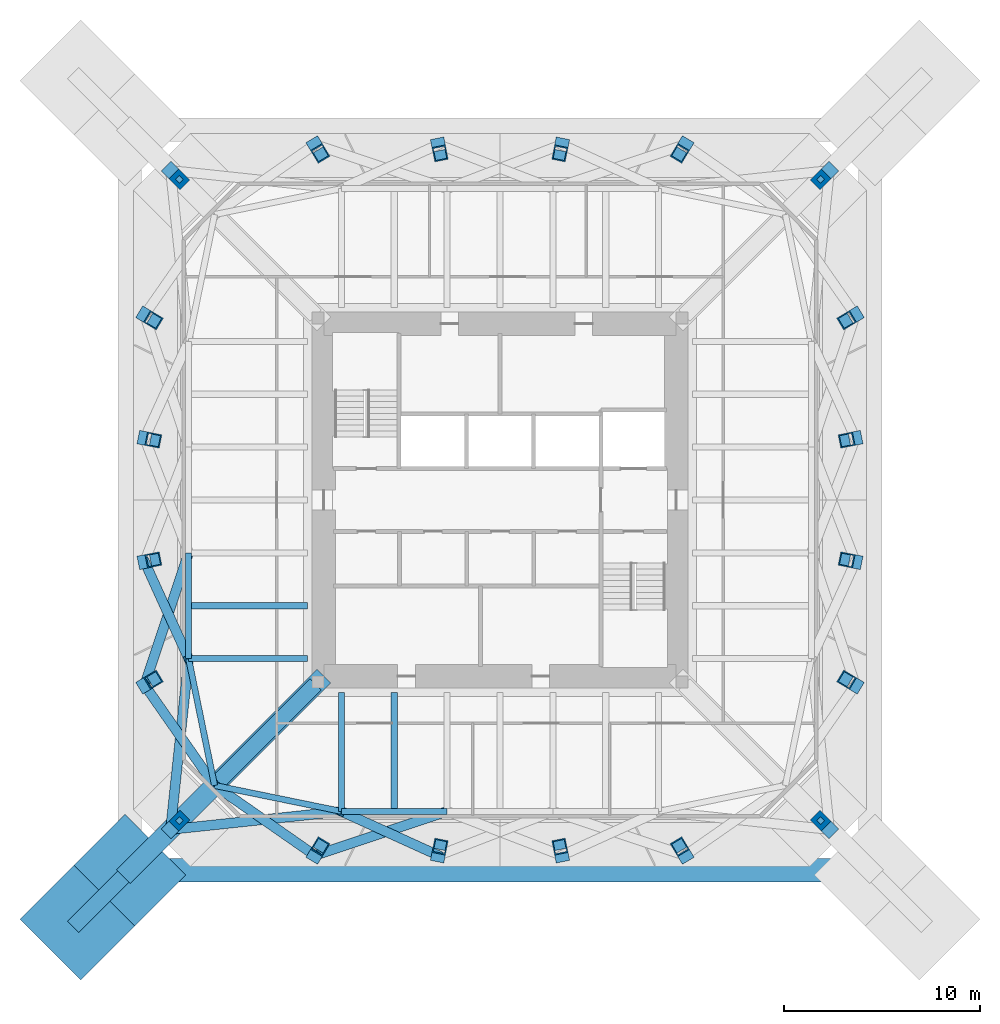
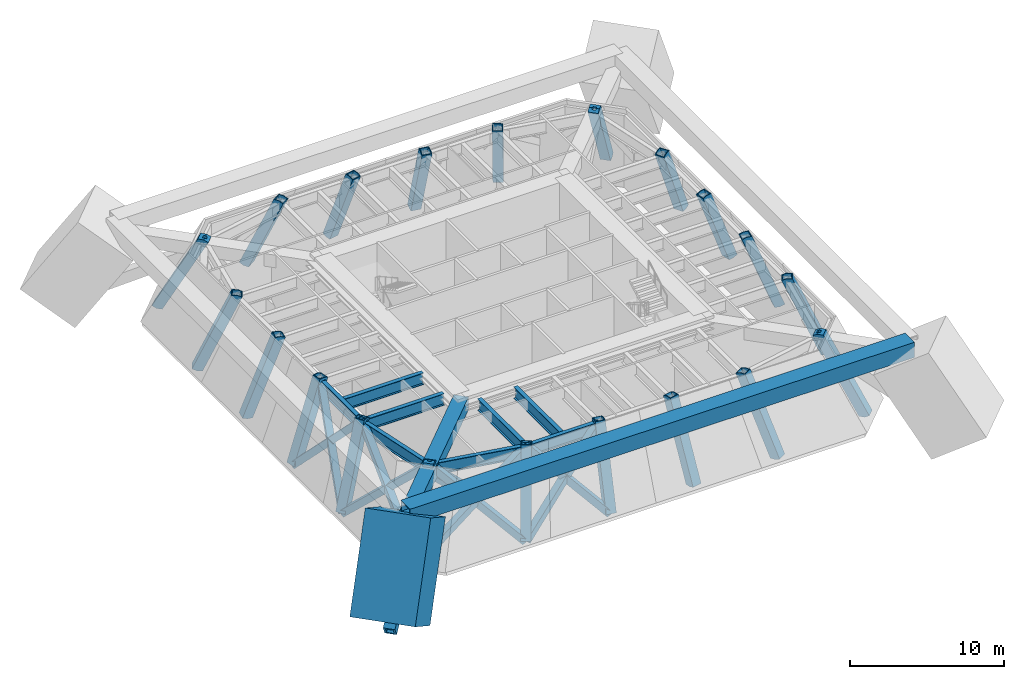
# One storey, part 1 of 6: 20 columns, 14 members, 8 beams.
"""IFC4 building model written with IfcOpenShell, lengths in metres."""

from ifc_helpers import new_model, si_unit, direction, frame, origin, origin_2d, place, context, subcontext, project, spatial, rectangle, hollow_rectangle, i_section, extrude, clip, halfspace, material, material_profile, profile_set, type_object, element, save


model = new_model("IFC4")

# Units and contexts
model_context = context("Model", 3, precision=1e-05, world=origin(), true_north=direction((0.0, 1.0)))
body_context = subcontext(model_context, "Body", "Model", "MODEL_VIEW")
ifc_project = project(units=[si_unit("LENGTHUNIT", "METRE"), si_unit("AREAUNIT", "SQUARE_METRE"), si_unit("VOLUMEUNIT", "CUBIC_METRE"), si_unit("PLANEANGLEUNIT", "RADIAN"), si_unit("MASSUNIT", "GRAM", prefix="KILO")], contexts=[model_context])

# Site, building, storey
site_placement = place(None, origin())
site = spatial("IfcSite", under=ifc_project, at=site_placement, CompositionType="ELEMENT")
building_placement = place(site_placement, origin())
building = spatial("IfcBuilding", under=site, at=building_placement, Name="Iwan Alto Co-Living Towers", CompositionType="ELEMENT")
storey_placement = place(building_placement, frame((0.0, 0.0, 209.0)))
storey = spatial("IfcBuildingStorey", under=building, at=storey_placement, Name="L57", CompositionType="ELEMENT", Elevation=209.0)

# Columns
ifc_material_1 = material(Name="Steel ASTM A36", Category="steel")
ifc_material_profile_1 = material_profile(ifc_material_1, hollow_rectangle(XDim=0.699951171875, YDim=0.699951171875, WallThickness=0.219970703125, at=origin_2d()), Name="BOX 700X700X220")
ifc_profile_set_1 = profile_set([ifc_material_profile_1], Name="Steel ASTM A36")
column_type_1 = type_object("IfcColumnType", Name="T1 HEAVY RAKING RING COLUMN BOX 700X700X220", PredefinedType="COLUMN", material=ifc_profile_set_1)
column_1_placement = place(storey_placement, frame((-16.82568359375, -16.82568359375, 0.0), z_axis=(0.331294578225, 0.331294578225, 0.883452208599), x_axis=(-0.707106781187, 0.707106781187, 0.0)))
element("IfcColumn", 1, at=column_1_placement, inside=storey, type_object=column_type_1, Name="T1 raking ring column CSW L57", PredefinedType="COLUMN", context=body_context, shape_type="Clipping", body=[
    clip(clip(extrude(hollow_rectangle(XDim=0.699951171875, YDim=0.699951171875, WallThickness=0.219970703125, at=origin_2d()), origin(), (0.0, 0.0, 1.0), 6.79150390625), halfspace(frame((0.0, 0.0, 0.0), z_axis=(0.0, -0.468521285666, -0.883452208599), x_axis=(-0.707106781187, -0.624695047554, 0.331294578225)), False)), halfspace(frame((0.0, 2.81103515625, 5.30078125), z_axis=(0.0, 0.468521285666, 0.883452208599), x_axis=(-0.707106781187, -0.624695047554, 0.331294578225)), False)),
])
column_2_placement = place(storey_placement, frame((16.82568359375, -16.82568359375, 0.0), z_axis=(-0.331294578225, 0.331294578225, 0.883452208599), x_axis=(-0.707106781187, -0.707106781187, 0.0)))
element("IfcColumn", 2, at=column_2_placement, inside=storey, type_object=column_type_1, Name="T1 raking ring column CSE L57", PredefinedType="COLUMN", context=body_context, shape_type="Clipping", body=[
    clip(clip(extrude(hollow_rectangle(XDim=0.699951171875, YDim=0.699951171875, WallThickness=0.219970703125, at=origin_2d()), origin(), (0.0, 0.0, 1.0), 6.79150390625), halfspace(frame((0.0, 0.0, 0.0), z_axis=(0.0, -0.468521285666, -0.883452208599), x_axis=(-0.707106781187, 0.624695047554, -0.331294578225)), False)), halfspace(frame((0.0, 2.81103515625, 5.30078125), z_axis=(0.0, 0.468521285666, 0.883452208599), x_axis=(-0.707106781187, 0.624695047554, -0.331294578225)), False)),
])
column_3_placement = place(storey_placement, frame((16.82568359375, 16.82568359375, 0.0), z_axis=(-0.331294578225, -0.331294578225, 0.883452208599), x_axis=(0.707106781187, -0.707106781187, 0.0)))
element("IfcColumn", 3, at=column_3_placement, inside=storey, type_object=column_type_1, Name="T1 raking ring column CNE L57", PredefinedType="COLUMN", context=body_context, shape_type="Clipping", body=[
    clip(clip(extrude(hollow_rectangle(XDim=0.699951171875, YDim=0.699951171875, WallThickness=0.219970703125, at=origin_2d()), origin(), (0.0, 0.0, 1.0), 6.79150390625), halfspace(frame((0.0, 0.0, 0.0), z_axis=(0.0, -0.468521285666, -0.883452208599), x_axis=(0.707106781187, 0.624695047554, -0.331294578225)), False)), halfspace(frame((0.0, 2.81103515625, 5.30078125), z_axis=(0.0, 0.468521285666, 0.883452208599), x_axis=(0.707106781187, 0.624695047554, -0.331294578225)), False)),
])
column_4_placement = place(storey_placement, frame((-16.82568359375, 16.82568359375, 0.0), z_axis=(0.331294578225, -0.331294578225, 0.883452208599), x_axis=(0.707106781187, 0.707106781187, 0.0)))
element("IfcColumn", 4, at=column_4_placement, inside=storey, type_object=column_type_1, Name="T1 raking ring column CNW L57", PredefinedType="COLUMN", context=body_context, shape_type="Clipping", body=[
    clip(clip(extrude(hollow_rectangle(XDim=0.699951171875, YDim=0.699951171875, WallThickness=0.219970703125, at=origin_2d()), origin(), (0.0, 0.0, 1.0), 6.79150390625), halfspace(frame((0.0, 0.0, 0.0), z_axis=(0.0, -0.468521285666, -0.883452208599), x_axis=(0.707106781187, -0.624695047554, 0.331294578225)), False)), halfspace(frame((0.0, 2.81103515625, 5.30078125), z_axis=(0.0, 0.468521285666, 0.883452208599), x_axis=(0.707106781187, -0.624695047554, 0.331294578225)), False)),
])
ifc_material_2 = material(Name="Steel ASTM A572 Gr 50", Category="steel")
ifc_material_profile_2 = material_profile(ifc_material_2, hollow_rectangle(XDim=0.699951171875, YDim=0.699951171875, WallThickness=0.06005859375, at=origin_2d()), Name="BOX 700X700X60")
ifc_profile_set_2 = profile_set([ifc_material_profile_2], Name="Steel ASTM A572 Gr 50")
column_type_2 = type_object("IfcColumnType", Name="T1 RAKING RING COLUMN BOX 700X700X60", PredefinedType="COLUMN", material=ifc_profile_set_2)
column_5_placement = place(storey_placement, frame((-9.449951171875, -18.14990234375, 0.0), z_axis=(0.206127500627, 0.343583115532, 0.91622164142), x_axis=(-0.857517554715, 0.514454704863, 0.0)))
element("IfcColumn", 5, at=column_5_placement, inside=storey, type_object=column_type_2, Name="T1 raking ring column S1 L57", PredefinedType="COLUMN", context=body_context, shape_type="Clipping", body=[
    clip(clip(extrude(hollow_rectangle(XDim=0.699951171875, YDim=0.699951171875, WallThickness=0.06005859375, at=origin_2d()), origin(), (0.0, 0.0, 1.0), 6.548583984375), halfspace(frame((0.0, 0.0, 0.0), z_axis=(0.0, -0.400671815572, -0.91622164142), x_axis=(-0.857517554715, -0.471354534126, 0.206127500627)), False)), halfspace(frame((0.0, 2.404052734375, 5.497314453125), z_axis=(0.0, 0.400671815572, 0.91622164142), x_axis=(-0.857517554715, -0.471354534126, 0.206127500627)), False)),
])
column_6_placement = place(storey_placement, frame((-3.14990234375, -18.14990234375, 0.0), z_axis=(0.070044605522, 0.350261033367, 0.934029422311), x_axis=(-0.980584767795, 0.196095673508, 0.0)))
element("IfcColumn", 6, at=column_6_placement, inside=storey, type_object=column_type_2, Name="T1 raking ring column S2 L57", PredefinedType="COLUMN", context=body_context, shape_type="Clipping", body=[
    clip(clip(extrude(hollow_rectangle(XDim=0.699951171875, YDim=0.699951171875, WallThickness=0.06005859375, at=origin_2d()), origin(), (0.0, 0.0, 1.0), 6.423828125), halfspace(frame((0.0, 0.0, 0.0), z_axis=(0.0, -0.357196078167, -0.934029422311), x_axis=(-0.980584767795, -0.183159128644, 0.070044605522)), False)), halfspace(frame((0.0, 2.14306640625, 5.604248046875), z_axis=(0.0, 0.357196078167, 0.934029422311), x_axis=(-0.980584767795, -0.183159128644, 0.070044605522)), False)),
])
column_7_placement = place(storey_placement, frame((3.14990234375, -18.14990234375, 0.0), z_axis=(-0.070044605522, 0.350261033367, 0.934029422311), x_axis=(-0.980584767795, -0.196095673508, 0.0)))
element("IfcColumn", 7, at=column_7_placement, inside=storey, type_object=column_type_2, Name="T1 raking ring column S3 L57", PredefinedType="COLUMN", context=body_context, shape_type="Clipping", body=[
    clip(clip(extrude(hollow_rectangle(XDim=0.699951171875, YDim=0.699951171875, WallThickness=0.06005859375, at=origin_2d()), origin(), (0.0, 0.0, 1.0), 6.423828125), halfspace(frame((0.0, 0.0, 0.0), z_axis=(0.0, -0.357196078167, -0.934029422311), x_axis=(-0.980584767795, 0.183159128644, -0.070044605522)), False)), halfspace(frame((0.0, 2.14306640625, 5.604248046875), z_axis=(0.0, 0.357196078167, 0.934029422311), x_axis=(-0.980584767795, 0.183159128644, -0.070044605522)), False)),
])
column_8_placement = place(storey_placement, frame((9.449951171875, -18.14990234375, 0.0), z_axis=(-0.206127500627, 0.343583115532, 0.91622164142), x_axis=(-0.857517554715, -0.514454704863, 0.0)))
element("IfcColumn", 8, at=column_8_placement, inside=storey, type_object=column_type_2, Name="T1 raking ring column S4 L57", PredefinedType="COLUMN", context=body_context, shape_type="Clipping", body=[
    clip(clip(extrude(hollow_rectangle(XDim=0.699951171875, YDim=0.699951171875, WallThickness=0.06005859375, at=origin_2d()), origin(), (0.0, 0.0, 1.0), 6.548583984375), halfspace(frame((0.0, 0.0, 0.0), z_axis=(0.0, -0.400671815572, -0.91622164142), x_axis=(-0.857517554715, 0.471354534126, -0.206127500627)), False)), halfspace(frame((0.0, 2.404052734375, 5.497314453125), z_axis=(0.0, 0.400671815572, 0.91622164142), x_axis=(-0.857517554715, 0.471354534126, -0.206127500627)), False)),
])
column_9_placement = place(storey_placement, frame((18.14990234375, -9.449951171875, 0.0), z_axis=(-0.343583115532, 0.206127500627, 0.91622164142), x_axis=(-0.514454704863, -0.857517554715, 0.0)))
element("IfcColumn", 9, at=column_9_placement, inside=storey, type_object=column_type_2, Name="T1 raking ring column E1 L57", PredefinedType="COLUMN", context=body_context, shape_type="Clipping", body=[
    clip(clip(extrude(hollow_rectangle(XDim=0.699951171875, YDim=0.699951171875, WallThickness=0.06005859375, at=origin_2d()), origin(), (0.0, 0.0, 1.0), 6.548583984375), halfspace(frame((0.0, 0.0, 0.0), z_axis=(0.0, -0.400671815572, -0.91622164142), x_axis=(-0.514454704863, 0.785676141527, -0.343583115532)), False)), halfspace(frame((0.0, 2.404052734375, 5.497314453125), z_axis=(0.0, 0.400671815572, 0.91622164142), x_axis=(-0.514454704863, 0.785676141527, -0.343583115532)), False)),
])
column_10_placement = place(storey_placement, frame((18.14990234375, -3.14990234375, 0.0), z_axis=(-0.350261033367, 0.070044605522, 0.934029422311), x_axis=(-0.196095673508, -0.980584767795, 0.0)))
element("IfcColumn", 10, at=column_10_placement, inside=storey, type_object=column_type_2, Name="T1 raking ring column E2 L57", PredefinedType="COLUMN", context=body_context, shape_type="Clipping", body=[
    clip(clip(extrude(hollow_rectangle(XDim=0.699951171875, YDim=0.699951171875, WallThickness=0.06005859375, at=origin_2d()), origin(), (0.0, 0.0, 1.0), 6.423828125), halfspace(frame((0.0, 0.0, 0.0), z_axis=(0.0, -0.357196078167, -0.934029422311), x_axis=(-0.196095673508, 0.91589502419, -0.350261033367)), False)), halfspace(frame((0.0, 2.14306640625, 5.604248046875), z_axis=(0.0, 0.357196078167, 0.934029422311), x_axis=(-0.196095673508, 0.91589502419, -0.350261033367)), False)),
])
column_11_placement = place(storey_placement, frame((18.14990234375, 3.14990234375, 0.0), z_axis=(-0.350261033367, -0.070044605522, 0.934029422311), x_axis=(0.196095673508, -0.980584767795, 0.0)))
element("IfcColumn", 11, at=column_11_placement, inside=storey, type_object=column_type_2, Name="T1 raking ring column E3 L57", PredefinedType="COLUMN", context=body_context, shape_type="Clipping", body=[
    clip(clip(extrude(hollow_rectangle(XDim=0.699951171875, YDim=0.699951171875, WallThickness=0.06005859375, at=origin_2d()), origin(), (0.0, 0.0, 1.0), 6.423828125), halfspace(frame((0.0, 0.0, 0.0), z_axis=(0.0, -0.357196078167, -0.934029422311), x_axis=(0.196095673508, 0.91589502419, -0.350261033367)), False)), halfspace(frame((0.0, 2.14306640625, 5.604248046875), z_axis=(0.0, 0.357196078167, 0.934029422311), x_axis=(0.196095673508, 0.91589502419, -0.350261033367)), False)),
])
column_12_placement = place(storey_placement, frame((18.14990234375, 9.449951171875, 0.0), z_axis=(-0.343583115532, -0.206127500627, 0.91622164142), x_axis=(0.514454704863, -0.857517554715, 0.0)))
element("IfcColumn", 12, at=column_12_placement, inside=storey, type_object=column_type_2, Name="T1 raking ring column E4 L57", PredefinedType="COLUMN", context=body_context, shape_type="Clipping", body=[
    clip(clip(extrude(hollow_rectangle(XDim=0.699951171875, YDim=0.699951171875, WallThickness=0.06005859375, at=origin_2d()), origin(), (0.0, 0.0, 1.0), 6.548583984375), halfspace(frame((0.0, 0.0, 0.0), z_axis=(0.0, -0.400671815572, -0.91622164142), x_axis=(0.514454704863, 0.785676141527, -0.343583115532)), False)), halfspace(frame((0.0, 2.404052734375, 5.497314453125), z_axis=(0.0, 0.400671815572, 0.91622164142), x_axis=(0.514454704863, 0.785676141527, -0.343583115532)), False)),
])
column_13_placement = place(storey_placement, frame((9.449951171875, 18.14990234375, 0.0), z_axis=(-0.206127500627, -0.343583115532, 0.91622164142), x_axis=(0.857517554715, -0.514454704863, 0.0)))
element("IfcColumn", 13, at=column_13_placement, inside=storey, type_object=column_type_2, Name="T1 raking ring column N1 L57", PredefinedType="COLUMN", context=body_context, shape_type="Clipping", body=[
    clip(clip(extrude(hollow_rectangle(XDim=0.699951171875, YDim=0.699951171875, WallThickness=0.06005859375, at=origin_2d()), origin(), (0.0, 0.0, 1.0), 6.548583984375), halfspace(frame((0.0, 0.0, 0.0), z_axis=(0.0, -0.400671815572, -0.91622164142), x_axis=(0.857517554715, 0.471354534126, -0.206127500627)), False)), halfspace(frame((0.0, 2.404052734375, 5.497314453125), z_axis=(0.0, 0.400671815572, 0.91622164142), x_axis=(0.857517554715, 0.471354534126, -0.206127500627)), False)),
])
column_14_placement = place(storey_placement, frame((3.14990234375, 18.14990234375, 0.0), z_axis=(-0.070044605522, -0.350261033367, 0.934029422311), x_axis=(0.980584767795, -0.196095673508, 0.0)))
element("IfcColumn", 14, at=column_14_placement, inside=storey, type_object=column_type_2, Name="T1 raking ring column N2 L57", PredefinedType="COLUMN", context=body_context, shape_type="Clipping", body=[
    clip(clip(extrude(hollow_rectangle(XDim=0.699951171875, YDim=0.699951171875, WallThickness=0.06005859375, at=origin_2d()), origin(), (0.0, 0.0, 1.0), 6.423828125), halfspace(frame((0.0, 0.0, 0.0), z_axis=(0.0, -0.357196078167, -0.934029422311), x_axis=(0.980584767795, 0.183159128644, -0.070044605522)), False)), halfspace(frame((0.0, 2.14306640625, 5.604248046875), z_axis=(0.0, 0.357196078167, 0.934029422311), x_axis=(0.980584767795, 0.183159128644, -0.070044605522)), False)),
])
column_15_placement = place(storey_placement, frame((-3.14990234375, 18.14990234375, 0.0), z_axis=(0.070044605522, -0.350261033367, 0.934029422311), x_axis=(0.980584767795, 0.196095673508, 0.0)))
element("IfcColumn", 15, at=column_15_placement, inside=storey, type_object=column_type_2, Name="T1 raking ring column N3 L57", PredefinedType="COLUMN", context=body_context, shape_type="Clipping", body=[
    clip(clip(extrude(hollow_rectangle(XDim=0.699951171875, YDim=0.699951171875, WallThickness=0.06005859375, at=origin_2d()), origin(), (0.0, 0.0, 1.0), 6.423828125), halfspace(frame((0.0, 0.0, 0.0), z_axis=(0.0, -0.357196078167, -0.934029422311), x_axis=(0.980584767795, -0.183159128644, 0.070044605522)), False)), halfspace(frame((0.0, 2.14306640625, 5.604248046875), z_axis=(0.0, 0.357196078167, 0.934029422311), x_axis=(0.980584767795, -0.183159128644, 0.070044605522)), False)),
])
column_16_placement = place(storey_placement, frame((-9.449951171875, 18.14990234375, 0.0), z_axis=(0.206127500627, -0.343583115532, 0.91622164142), x_axis=(0.857517554715, 0.514454704863, 0.0)))
element("IfcColumn", 16, at=column_16_placement, inside=storey, type_object=column_type_2, Name="T1 raking ring column N4 L57", PredefinedType="COLUMN", context=body_context, shape_type="Clipping", body=[
    clip(clip(extrude(hollow_rectangle(XDim=0.699951171875, YDim=0.699951171875, WallThickness=0.06005859375, at=origin_2d()), origin(), (0.0, 0.0, 1.0), 6.548583984375), halfspace(frame((0.0, 0.0, 0.0), z_axis=(0.0, -0.400671815572, -0.91622164142), x_axis=(0.857517554715, -0.471354534126, 0.206127500627)), False)), halfspace(frame((0.0, 2.404052734375, 5.497314453125), z_axis=(0.0, 0.400671815572, 0.91622164142), x_axis=(0.857517554715, -0.471354534126, 0.206127500627)), False)),
])
column_17_placement = place(storey_placement, frame((-18.14990234375, 9.449951171875, 0.0), z_axis=(0.343583115532, -0.206127500627, 0.91622164142), x_axis=(0.514454704863, 0.857517554715, 0.0)))
element("IfcColumn", 17, at=column_17_placement, inside=storey, type_object=column_type_2, Name="T1 raking ring column W1 L57", PredefinedType="COLUMN", context=body_context, shape_type="Clipping", body=[
    clip(clip(extrude(hollow_rectangle(XDim=0.699951171875, YDim=0.699951171875, WallThickness=0.06005859375, at=origin_2d()), origin(), (0.0, 0.0, 1.0), 6.548583984375), halfspace(frame((0.0, 0.0, 0.0), z_axis=(0.0, -0.400671815572, -0.91622164142), x_axis=(0.514454704863, -0.785676141527, 0.343583115532)), False)), halfspace(frame((0.0, 2.404052734375, 5.497314453125), z_axis=(0.0, 0.400671815572, 0.91622164142), x_axis=(0.514454704863, -0.785676141527, 0.343583115532)), False)),
])
column_18_placement = place(storey_placement, frame((-18.14990234375, 3.14990234375, 0.0), z_axis=(0.350261033367, -0.070044605522, 0.934029422311), x_axis=(0.196095673508, 0.980584767795, 0.0)))
element("IfcColumn", 18, at=column_18_placement, inside=storey, type_object=column_type_2, Name="T1 raking ring column W2 L57", PredefinedType="COLUMN", context=body_context, shape_type="Clipping", body=[
    clip(clip(extrude(hollow_rectangle(XDim=0.699951171875, YDim=0.699951171875, WallThickness=0.06005859375, at=origin_2d()), origin(), (0.0, 0.0, 1.0), 6.423828125), halfspace(frame((0.0, 0.0, 0.0), z_axis=(0.0, -0.357196078167, -0.934029422311), x_axis=(0.196095673508, -0.91589502419, 0.350261033367)), False)), halfspace(frame((0.0, 2.14306640625, 5.604248046875), z_axis=(0.0, 0.357196078167, 0.934029422311), x_axis=(0.196095673508, -0.91589502419, 0.350261033367)), False)),
])
column_19_placement = place(storey_placement, frame((-18.14990234375, -3.14990234375, 0.0), z_axis=(0.350261033367, 0.070044605522, 0.934029422311), x_axis=(-0.196095673508, 0.980584767795, 0.0)))
element("IfcColumn", 19, at=column_19_placement, inside=storey, type_object=column_type_2, Name="T1 raking ring column W3 L57", PredefinedType="COLUMN", context=body_context, shape_type="Clipping", body=[
    clip(clip(extrude(hollow_rectangle(XDim=0.699951171875, YDim=0.699951171875, WallThickness=0.06005859375, at=origin_2d()), origin(), (0.0, 0.0, 1.0), 6.423828125), halfspace(frame((0.0, 0.0, 0.0), z_axis=(0.0, -0.357196078167, -0.934029422311), x_axis=(-0.196095673508, -0.91589502419, 0.350261033367)), False)), halfspace(frame((0.0, 2.14306640625, 5.604248046875), z_axis=(0.0, 0.357196078167, 0.934029422311), x_axis=(-0.196095673508, -0.91589502419, 0.350261033367)), False)),
])
column_20_placement = place(storey_placement, frame((-18.14990234375, -9.449951171875, 0.0), z_axis=(0.343583115532, 0.206127500627, 0.91622164142), x_axis=(-0.514454704863, 0.857517554715, 0.0)))
element("IfcColumn", 20, at=column_20_placement, inside=storey, type_object=column_type_2, Name="T1 raking ring column W4 L57", PredefinedType="COLUMN", context=body_context, shape_type="Clipping", body=[
    clip(clip(extrude(hollow_rectangle(XDim=0.699951171875, YDim=0.699951171875, WallThickness=0.06005859375, at=origin_2d()), origin(), (0.0, 0.0, 1.0), 6.548583984375), halfspace(frame((0.0, 0.0, 0.0), z_axis=(0.0, -0.400671815572, -0.91622164142), x_axis=(-0.514454704863, -0.785676141527, 0.343583115532)), False)), halfspace(frame((0.0, 2.404052734375, 5.497314453125), z_axis=(0.0, 0.400671815572, 0.91622164142), x_axis=(-0.514454704863, -0.785676141527, 0.343583115532)), False)),
])

# Beams
ifc_material_3 = material(Name="Steel ASTM A992 Gr 50", Category="steel")
ifc_material_profile_3 = material_profile(ifc_material_3, i_section(OverallWidth=0.307373046875, OverallDepth=0.927001953125, WebThickness=0.01953125, FlangeThickness=0.031982421875, at=origin_2d()), Name="W36X194")
ifc_profile_set_3 = profile_set([ifc_material_profile_3], Name="Steel ASTM A992 Gr 50")
beam_type_1 = type_object("IfcBeamType", Name="T1 BELT TRUSS CHORD W36X194", PredefinedType="BEAM", material=ifc_profile_set_3)
beam_1_placement = place(storey_placement, frame((-14.57568359375, -14.57568359375, 5.306396484375), z_axis=(0.979724820103, -0.200347889618, 0.0), x_axis=(0.200347889618, 0.979724820103, 0.0)))
element("IfcBeam", 21, at=beam_1_placement, inside=storey, type_object=beam_type_1, Name="T1 edge beam CSW L58", PredefinedType="BEAM", context=body_context, shape_type="SweptSolid", body=[
    extrude(i_section(OverallWidth=0.307373046875, OverallDepth=0.927001953125, WebThickness=0.01953125, FlangeThickness=0.031982421875, at=origin_2d()), origin(), (0.0, 0.0, 1.0), 6.609619140625),
])
for number, where, z_axis, x_axis, name in (
    (22, (-8.10009765625, -15.89990234375, 5.306396484375), (1.0, 0.0, 0.0), (0.0, 1.0, 0.0), "T1 edge beam S1 L58"),
    (23, (-15.89990234375, -2.699951171875, 5.306396484375), (0.0, -1.0, 0.0), (1.0, 0.0, 0.0), "T1 edge beam W3 L58"),
):
    element("IfcBeam", number, at=place(storey_placement, frame(where, z_axis=z_axis, x_axis=x_axis)), inside=storey, type_object=beam_type_1, Name=name, PredefinedType="BEAM", context=body_context, shape_type="SweptSolid", body=[
        extrude(i_section(OverallWidth=0.307373046875, OverallDepth=0.927001953125, WebThickness=0.01953125, FlangeThickness=0.031982421875, at=origin_2d()), origin(), (0.0, 0.0, 1.0), 5.400146484375),
    ])
beam_2_placement = place(storey_placement, frame((-15.89990234375, -8.10009765625, 5.306396484375), z_axis=(0.200347889618, -0.979724820103, 0.0), x_axis=(0.979724820103, 0.200347889618, 0.0)))
element("IfcBeam", 24, at=beam_2_placement, inside=storey, type_object=beam_type_1, Name="T1 edge beam W4 L58", PredefinedType="BEAM", context=body_context, shape_type="SweptSolid", body=[
    extrude(i_section(OverallWidth=0.307373046875, OverallDepth=0.927001953125, WebThickness=0.01953125, FlangeThickness=0.031982421875, at=origin_2d()), origin(), (0.0, 0.0, 1.0), 6.609619140625),
])

# Members
ifc_material_4 = material(Name="Steel ASTM A572 Gr 50", Category="steel")
ifc_material_profile_4 = material_profile(ifc_material_4, hollow_rectangle(XDim=0.5, YDim=0.5, WallThickness=0.031982421875, at=origin_2d()), Name="BOX 500X500X32")
ifc_profile_set_4 = profile_set([ifc_material_profile_4], Name="Steel ASTM A572 Gr 50")
member_type_1 = type_object("IfcMemberType", Name="T1 BELT TRUSS DIAGONAL BOX 500X500X32", PredefinedType="BRACE", material=ifc_profile_set_4)
member_1_placement = place(storey_placement, frame((-16.82568359375, -16.82568359375, 0.0), z_axis=(0.833916403256, 0.088478203725, 0.544752273833), x_axis=(-0.105507415038, 0.994418516205, 0.0)))
element("IfcMember", 25, at=member_1_placement, inside=storey, type_object=member_type_1, Name="T1 belt truss diagonal CSW L57 1", PredefinedType="BRACE", context=body_context, shape_type="SweptSolid", body=[
    extrude(hollow_rectangle(XDim=0.5, YDim=0.5, WallThickness=0.031982421875, at=origin_2d()), origin(), (0.0, 0.0, 1.0), 10.46337890625),
])
member_2_placement = place(storey_placement, frame((-9.449951171875, -18.14990234375, 0.0), z_axis=(-0.606022431756, 0.422584825001, 0.673913108559), x_axis=(-0.571979905914, -0.820267631466, 0.0)))
element("IfcMember", 26, at=member_2_placement, inside=storey, type_object=member_type_1, Name="T1 belt truss diagonal CSW L57 2", PredefinedType="BRACE", context=body_context, shape_type="SweptSolid", body=[
    extrude(hollow_rectangle(XDim=0.5, YDim=0.5, WallThickness=0.031982421875, at=origin_2d()), origin(), (0.0, 0.0, 1.0), 8.4580078125),
])
member_3_placement = place(storey_placement, frame((-9.449951171875, -18.14990234375, 0.0), z_axis=(0.740398486837, 0.246799495612, 0.625220032993), x_axis=(-0.316227766017, 0.948683298051, 0.0)))
element("IfcMember", 27, at=member_3_placement, inside=storey, type_object=member_type_1, Name="T1 belt truss diagonal S1 L57 1", PredefinedType="BRACE", context=body_context, shape_type="SweptSolid", body=[
    extrude(hollow_rectangle(XDim=0.5, YDim=0.5, WallThickness=0.031982421875, at=origin_2d()), origin(), (0.0, 0.0, 1.0), 9.11669921875),
])
for number, where, z_axis, x_axis, name in (
    (28, (-3.14990234375, -18.14990234375, 0.0), (-0.628389798864, 0.28562045701, 0.723565626064), (-0.413789413043, -0.910372627913, 0.0), "T1 belt truss diagonal S1 L57 2"),
    (29, (-18.14990234375, -3.14990234375, 0.0), (0.28562045701, -0.628389798864, 0.723565626064), (0.910372627913, 0.413789413043, 0.0), "T1 belt truss diagonal W3 L57 1"),
):
    element("IfcMember", number, at=place(storey_placement, frame(where, z_axis=z_axis, x_axis=x_axis)), inside=storey, type_object=member_type_1, Name=name, PredefinedType="BRACE", context=body_context, shape_type="SweptSolid", body=[
        extrude(hollow_rectangle(XDim=0.5, YDim=0.5, WallThickness=0.031982421875, at=origin_2d()), origin(), (0.0, 0.0, 1.0), 7.877685546875),
    ])
member_4_placement = place(storey_placement, frame((-18.14990234375, -9.449951171875, 0.0), z_axis=(0.246799495612, 0.740398486837, 0.625220032993), x_axis=(-0.948683298051, 0.316227766017, 0.0)))
element("IfcMember", 30, at=member_4_placement, inside=storey, type_object=member_type_1, Name="T1 belt truss diagonal W3 L57 2", PredefinedType="BRACE", context=body_context, shape_type="SweptSolid", body=[
    extrude(hollow_rectangle(XDim=0.5, YDim=0.5, WallThickness=0.031982421875, at=origin_2d()), origin(), (0.0, 0.0, 1.0), 9.11669921875),
])
member_5_placement = place(storey_placement, frame((-18.14990234375, -9.449951171875, 0.0), z_axis=(0.422584825001, -0.606022431756, 0.673913108559), x_axis=(0.820267631466, 0.571979905914, 0.0)))
element("IfcMember", 31, at=member_5_placement, inside=storey, type_object=member_type_1, Name="T1 belt truss diagonal W4 L57 1", PredefinedType="BRACE", context=body_context, shape_type="SweptSolid", body=[
    extrude(hollow_rectangle(XDim=0.5, YDim=0.5, WallThickness=0.031982421875, at=origin_2d()), origin(), (0.0, 0.0, 1.0), 8.4580078125),
])
member_6_placement = place(storey_placement, frame((-16.82568359375, -16.82568359375, 0.0), z_axis=(0.088478203725, 0.833916403256, 0.544752273833), x_axis=(-0.994418516205, 0.105507415038, 0.0)))
element("IfcMember", 32, at=member_6_placement, inside=storey, type_object=member_type_1, Name="T1 belt truss diagonal W4 L57 2", PredefinedType="BRACE", context=body_context, shape_type="SweptSolid", body=[
    extrude(hollow_rectangle(XDim=0.5, YDim=0.5, WallThickness=0.031982421875, at=origin_2d()), origin(), (0.0, 0.0, 1.0), 10.46337890625),
])
ifc_material_5 = material(Name="Steel ASTM A572 Gr 50", Category="steel")
ifc_material_profile_5 = material_profile(ifc_material_5, hollow_rectangle(XDim=1.199951171875, YDim=1.199951171875, WallThickness=0.070068359375, at=origin_2d()), Name="BOX 1200X1200X70")
ifc_profile_set_5 = profile_set([ifc_material_profile_5], Name="Steel ASTM A572 Gr 50")
member_type_2 = type_object("IfcMemberType", Name="T1 MEGA BELT TIE BOX 1200X1200X70", PredefinedType="STRUT", material=ifc_profile_set_5)
member_7_placement = place(storey_placement, frame((-18.89990234375, -18.89990234375, 6.0), z_axis=(1.0, 0.0, 0.0), x_axis=(0.0, 1.0, 0.0)))
element("IfcMember", 33, at=member_7_placement, inside=storey, type_object=member_type_2, Name="T1 mega belt tie S L58", PredefinedType="STRUT", context=body_context, shape_type="SweptSolid", body=[
    extrude(hollow_rectangle(XDim=1.199951171875, YDim=1.199951171875, WallThickness=0.070068359375, at=origin_2d()), origin(), (0.0, 0.0, 1.0), 37.7998046875),
])
ifc_material_6 = material(Name="Steel ASTM A572 Gr 50", Category="steel")
ifc_material_profile_6 = material_profile(ifc_material_6, hollow_rectangle(XDim=1.0, YDim=1.0, WallThickness=0.070068359375, at=origin_2d()), Name="BOX 1000X1000X70")
ifc_profile_set_6 = profile_set([ifc_material_profile_6], Name="Steel ASTM A572 Gr 50")
member_type_3 = type_object("IfcMemberType", Name="T1 OUTRIGGER CHORD BOX 1000X1000X70", PredefinedType="CHORD", material=ifc_profile_set_6)
member_8_placement = place(storey_placement, frame((-9.0, -9.0, 5.27001953125), z_axis=(-0.707106781187, -0.707106781187, 0.0), x_axis=(0.707106781187, -0.707106781187, 0.0)))
element("IfcMember", 34, at=member_8_placement, inside=storey, type_object=member_type_3, Name="T1 outrigger SW L57 top chord 1", PredefinedType="CHORD", context=body_context, shape_type="SweptSolid", body=[
    extrude(hollow_rectangle(XDim=1.0, YDim=1.0, WallThickness=0.070068359375, at=origin_2d()), origin(), (0.0, 0.0, 1.0), 7.88525390625),
])
member_9_placement = place(storey_placement, frame((-14.57568359375, -14.57568359375, 5.27001953125), z_axis=(-0.707106781187, -0.707106781187, 0.0), x_axis=(0.707106781187, -0.707106781187, 0.0)))
element("IfcMember", 35, at=member_9_placement, inside=storey, type_object=member_type_3, Name="T1 outrigger SW L57 top chord 2", PredefinedType="CHORD", context=body_context, shape_type="SweptSolid", body=[
    extrude(hollow_rectangle(XDim=1.0, YDim=1.0, WallThickness=0.070068359375, at=origin_2d()), origin(), (0.0, 0.0, 1.0), 6.588623046875),
])
ifc_material_7 = material(Name="Steel ASTM A572 Gr 42", Category="steel")
ifc_material_profile_7 = material_profile(ifc_material_7, hollow_rectangle(XDim=0.800048828125, YDim=0.800048828125, WallThickness=0.139892578125, at=origin_2d()), Name="BOX 800X800X140")
ifc_profile_set_7 = profile_set([ifc_material_profile_7], Name="Steel ASTM A572 Gr 42")
member_type_4 = type_object("IfcMemberType", Name="T1 OUTRIGGER DIAGONAL BOX 800X800X140", PredefinedType="BRACE", material=ifc_profile_set_7)
member_10_placement = place(storey_placement, frame((-9.60009765625, -9.60009765625, -0.800048828125), z_axis=(-0.535415984594, -0.535415984594, 0.653191738222), x_axis=(0.707106781187, -0.707106781187, 0.0)))
element("IfcMember", 36, at=member_10_placement, inside=storey, type_object=member_type_4, Name="T1 outrigger SW L57 diagonal 1", PredefinedType="BRACE", context=body_context, shape_type="SweptSolid", body=[
    extrude(hollow_rectangle(XDim=0.800048828125, YDim=0.800048828125, WallThickness=0.139892578125, at=origin_2d()), origin(), (0.0, 0.0, 1.0), 9.29296875),
])
member_11_placement = place(storey_placement, frame((-14.57568359375, -14.57568359375, 5.27001953125), z_axis=(-0.604535007813, -0.604535007813, -0.518724251079), x_axis=(0.707106781187, -0.707106781187, 0.0)))
element("IfcMember", 37, at=member_11_placement, inside=storey, type_object=member_type_4, Name="T1 outrigger SW L57 diagonal 2", PredefinedType="BRACE", context=body_context, shape_type="SweptSolid", body=[
    extrude(hollow_rectangle(XDim=0.800048828125, YDim=0.800048828125, WallThickness=0.139892578125, at=origin_2d()), origin(), (0.0, 0.0, 1.0), 11.701904296875),
])

# Beams
ifc_material_8 = material(Name="Steel ASTM A992 Gr 50", Category="steel")
ifc_material_profile_8 = material_profile(ifc_material_8, i_section(OverallWidth=0.307373046875, OverallDepth=0.927001953125, WebThickness=0.01953125, FlangeThickness=0.031982421875, at=origin_2d()), Name="W36X194")
ifc_profile_set_8 = profile_set([ifc_material_profile_8], Name="Steel ASTM A992 Gr 50")
beam_type_2 = type_object("IfcBeamType", Name="T1 RADIAL BEAM W36X194", PredefinedType="BEAM", material=ifc_profile_set_8)
for number, where, z_axis, x_axis, name in (
    (38, (-8.10009765625, -15.89990234375, 5.306396484375), (0.0, 1.0, 0.0), (-1.0, 0.0, 0.0), "T1 radial beam S1 L58"),
    (39, (-15.89990234375, -8.10009765625, 5.306396484375), (1.0, 0.0, 0.0), (0.0, 1.0, 0.0), "T1 radial beam W4 L58"),
):
    element("IfcBeam", number, at=place(storey_placement, frame(where, z_axis=z_axis, x_axis=x_axis)), inside=storey, type_object=beam_type_2, Name=name, PredefinedType="BEAM", context=body_context, shape_type="SweptSolid", body=[
        extrude(i_section(OverallWidth=0.307373046875, OverallDepth=0.927001953125, WebThickness=0.01953125, FlangeThickness=0.031982421875, at=origin_2d()), origin(), (0.0, 0.0, 1.0), 6.08154296875),
    ])

# Member
ifc_material_9 = material(Name="Concrete f'c 70 MPa", Category="concrete")
ifc_material_profile_9 = material_profile(ifc_material_9, rectangle(XDim=4.39990234375, YDim=4.39990234375, at=origin_2d()), Name="RC 4400X4400")
ifc_profile_set_9 = profile_set([ifc_material_profile_9], Name="Concrete f'c 70 MPa")
member_type_5 = type_object("IfcMemberType", Name="T1 RAKING MEGA COLUMN RC 4400X4400", PredefinedType="MEMBER", material=ifc_profile_set_9)
member_12_placement = place(storey_placement, frame((-21.64990234375, -21.64990234375, 0.0), z_axis=(0.384605980701, 0.384605980701, 0.83914032153), x_axis=(-0.707106781187, 0.707106781187, 0.0)))
element("IfcMember", 40, at=member_12_placement, inside=storey, type_object=member_type_5, Name="T1 raking mega column SW L57", PredefinedType="MEMBER", context=body_context, shape_type="SweptSolid", body=[
    extrude(rectangle(XDim=4.39990234375, YDim=4.39990234375, at=origin_2d()), origin(), (0.0, 0.0, 1.0), 7.150146484375),
    extrude(i_section(OverallWidth=0.4775390625, OverallDepth=0.599365234375, WebThickness=0.10009765625, FlangeThickness=0.139892578125, at=origin_2d()), origin(), (0.0, 0.0, 1.0), 7.150146484375),
])

# Beams
ifc_material_10 = material(Name="Steel ASTM A992 Gr 50", Category="steel")
ifc_material_profile_10 = material_profile(ifc_material_10, i_section(OverallWidth=0.307373046875, OverallDepth=0.927001953125, WebThickness=0.01953125, FlangeThickness=0.031982421875, at=origin_2d()), Name="W36X194")
ifc_profile_set_10 = profile_set([ifc_material_profile_10], Name="Steel ASTM A992 Gr 50")
beam_type_3 = type_object("IfcBeamType", Name="T1 SECONDARY BEAM W36X194", PredefinedType="JOIST", material=ifc_profile_set_10)
for number, where, z_axis, x_axis, name in (
    (41, (-5.39990234375, -15.89990234375, 5.306396484375), (0.0, 1.0, 0.0), (-1.0, 0.0, 0.0), "T1 secondary beam S1 L58"),
    (42, (-15.89990234375, -5.39990234375, 5.306396484375), (1.0, 0.0, 0.0), (0.0, 1.0, 0.0), "T1 secondary beam W3 L58"),
):
    element("IfcBeam", number, at=place(storey_placement, frame(where, z_axis=z_axis, x_axis=x_axis)), inside=storey, type_object=beam_type_3, Name=name, PredefinedType="JOIST", context=body_context, shape_type="SweptSolid", body=[
        extrude(i_section(OverallWidth=0.307373046875, OverallDepth=0.927001953125, WebThickness=0.01953125, FlangeThickness=0.031982421875, at=origin_2d()), origin(), (0.0, 0.0, 1.0), 6.08154296875),
    ])

save(model, "model.ifc")
